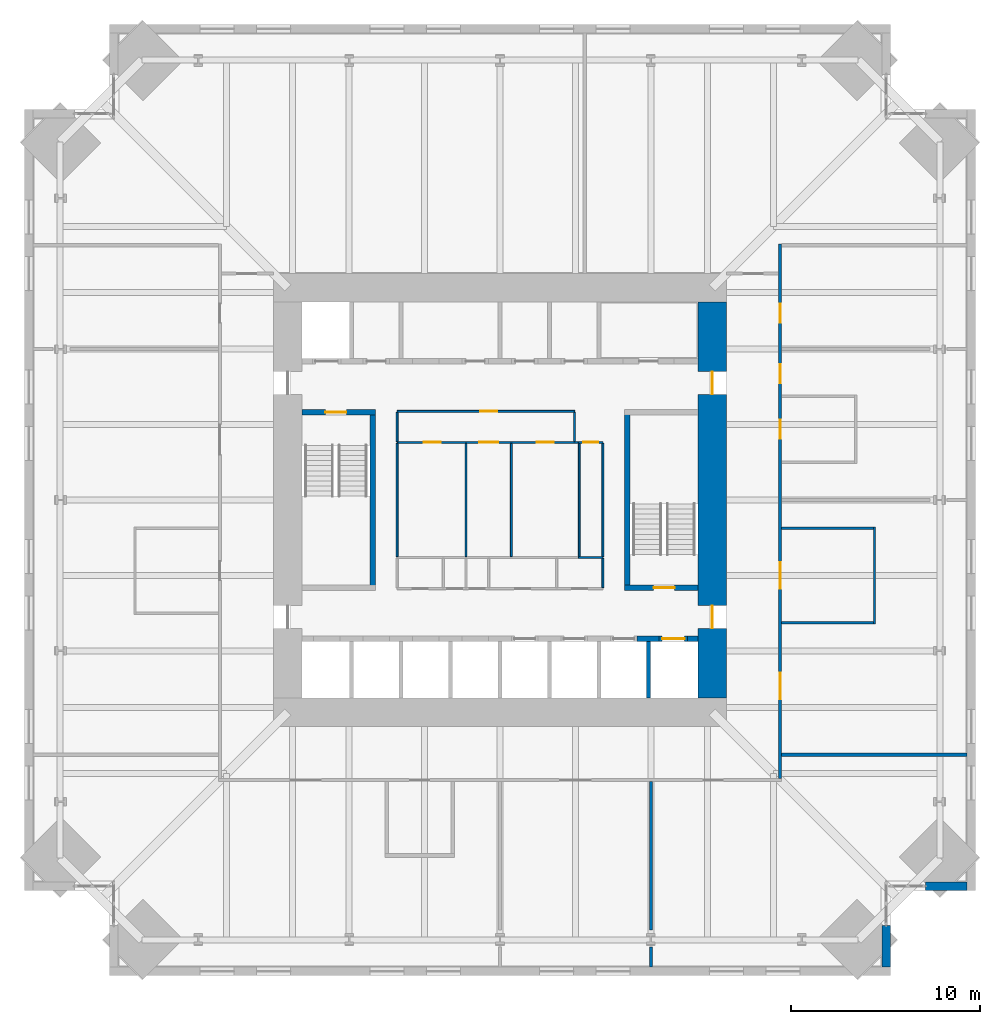
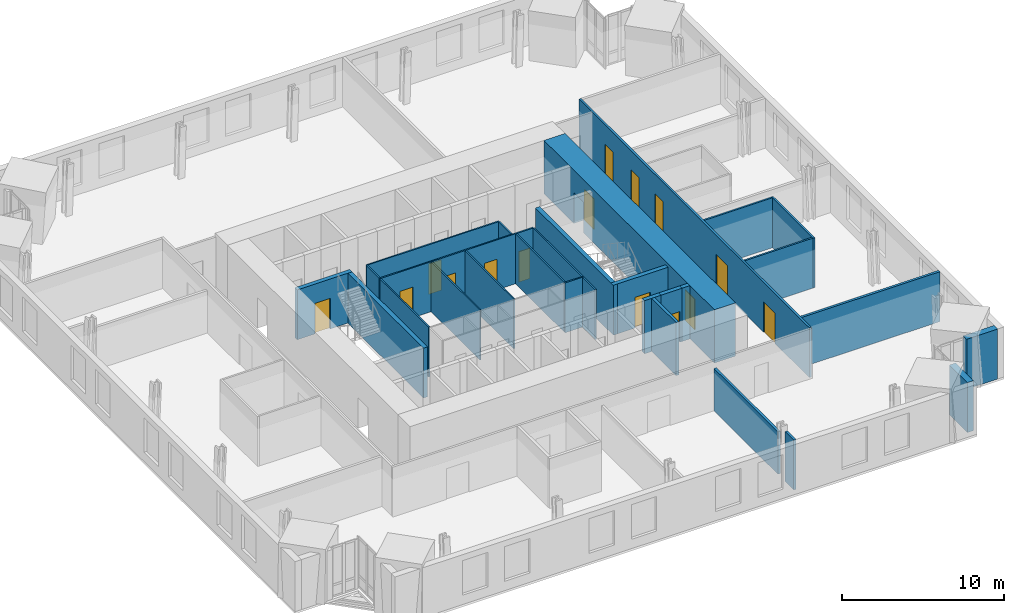
# One storey, part 12 of 15: 30 walls, 15 doors, 15 openings.
"""IFC4 building model written with IfcOpenShell, lengths in metres."""

from ifc_helpers import new_model, si_unit, direction, frame, frame_2d, origin, place, context, subcontext, project, spatial, rectangle, extrude, material, layer, layer_set, type_object, element, fill, save


model = new_model("IFC4")

# Units and contexts
model_context = context("Model", 3, precision=1e-05, world=origin(), true_north=direction((0.0, 1.0)))
body_context = subcontext(model_context, "Body", "Model", "MODEL_VIEW")
ifc_project = project(units=[si_unit("LENGTHUNIT", "METRE"), si_unit("AREAUNIT", "SQUARE_METRE"), si_unit("VOLUMEUNIT", "CUBIC_METRE"), si_unit("PLANEANGLEUNIT", "RADIAN"), si_unit("MASSUNIT", "GRAM", prefix="KILO")], contexts=[model_context])

# Site, building, storey
site_placement = place(None, origin())
site = spatial("IfcSite", under=ifc_project, at=site_placement, CompositionType="ELEMENT")
building_placement = place(site_placement, origin())
building = spatial("IfcBuilding", under=site, at=building_placement, Name="Peilmerk Tower", CompositionType="ELEMENT")
storey_placement = place(building_placement, frame((0.0, 0.0, 187.800048828125)))
storey = spatial("IfcBuildingStorey", under=building, at=storey_placement, Name="L40", CompositionType="ELEMENT", Elevation=187.800048828125)

# Walls
ifc_material_1 = material(Name="Precast concrete C45/55, board-marked finish", Category="concrete")
ifc_layer_1 = layer(ifc_material_1, 0.449951171875)
ifc_layer_set_1 = layer_set([ifc_layer_1], Name="Precast concrete C45/55, board-marked finish")
wall_type_1 = type_object("IfcWallType", Name="EW1 450 precast concrete facade wall, board-marked", PredefinedType="SOLIDWALL", material=ifc_layer_set_1)
for number, where, z_axis, x_axis, name in (
    (1, (20.47509765625, -22.5537109375, 0.0), (0.0, 0.0, 1.0), (0.0, -1.0, 0.0), "Facade wall SEA L40"),
    (2, (22.5537109375, -20.47509765625, 0.0), (0.0, 0.0, 1.0), (1.0, 0.0, 0.0), "Facade wall SEB L40"),
):
    element("IfcWall", number, at=place(storey_placement, frame(where, z_axis=z_axis, x_axis=x_axis)), inside=storey, type_object=wall_type_1, Name=name, PredefinedType="SOLIDWALL", context=body_context, shape_type="SweptSolid", body=[
        extrude(rectangle(XDim=2.1962890625, YDim=0.449951171875, at=frame_2d((1.09814453125, 0.0))), origin(), (0.0, 0.0, 1.0), 3.75),
    ])

# Wall, openings, doors
ifc_material_2 = material(Name="Calcium silicate block", Category="masonry")
ifc_layer_2 = layer(ifc_material_2, 0.14990234375)
ifc_layer_set_2 = layer_set([ifc_layer_2], Name="Calcium silicate block")
wall_type_2 = type_object("IfcWallType", Name="IW1 150 corridor partition, EI 60", PredefinedType="PARTITIONING", material=ifc_layer_set_2)
wall_1_placement = place(storey_placement, frame((14.85009765625, -14.77490234375, 0.0), z_axis=(0.0, 0.0, 1.0), x_axis=(0.0, 1.0, 0.0)))
wall_1 = element("IfcWall", 3, at=wall_1_placement, inside=storey, type_object=wall_type_2, Name="Corridor wall E L40", PredefinedType="PARTITIONING", context=body_context, shape_type="SweptSolid", body=[
    extrude(rectangle(XDim=28.349853515625, YDim=0.14990234375, at=frame_2d((14.1748046875, 0.0))), origin(), (0.0, 0.0, 1.0), 3.75),
])
opening_1_placement = place(wall_1_placement, frame((4.22509765625, 0.0, 0.0)))
opening_1 = element("IfcOpeningElement", 4, at=opening_1_placement, cuts=wall_1, Name="Opening D8", PredefinedType="OPENING", context=body_context, shape_type="SweptSolid", body=[
    extrude(rectangle(XDim=1.39990234375, YDim=2.300048828125, at=frame_2d((0.699951171875, 1.14990234375))), frame((0.0, 0.0849609375, 0.0), z_axis=(0.0, -1.0, 0.0), x_axis=(1.0, 0.0, 0.0)), (0.0, 0.0, 1.0), 0.169921875),
])
opening_2_placement = place(wall_1_placement, frame((20.97509765625, 0.0, 0.0)))
opening_2 = element("IfcOpeningElement", 5, at=opening_2_placement, cuts=wall_1, Name="Opening D1", PredefinedType="OPENING", context=body_context, shape_type="SweptSolid", body=[
    extrude(rectangle(XDim=1.0, YDim=2.300048828125, at=frame_2d((0.5, 1.14990234375))), frame((0.0, 0.0849609375, 0.0), z_axis=(0.0, -1.0, 0.0), x_axis=(1.0, 0.0, 0.0)), (0.0, 0.0, 1.0), 0.169921875),
])
opening_3_placement = place(wall_1_placement, frame((24.175048828125, 0.0, 0.0)))
opening_3 = element("IfcOpeningElement", 6, at=opening_3_placement, cuts=wall_1, Name="Opening D1", PredefinedType="OPENING", context=body_context, shape_type="SweptSolid", body=[
    extrude(rectangle(XDim=1.0, YDim=2.300048828125, at=frame_2d((0.5, 1.14990234375))), frame((0.0, 0.0849609375, 0.0), z_axis=(0.0, -1.0, 0.0), x_axis=(1.0, 0.0, 0.0)), (0.0, 0.0, 1.0), 0.169921875),
])
opening_4_placement = place(wall_1_placement, frame((10.074951171875, 0.0, 0.0)))
opening_4 = element("IfcOpeningElement", 7, at=opening_4_placement, cuts=wall_1, Name="Opening D8", PredefinedType="OPENING", context=body_context, shape_type="SweptSolid", body=[
    extrude(rectangle(XDim=1.39990234375, YDim=2.300048828125, at=frame_2d((0.699951171875, 1.14990234375))), frame((0.0, 0.0849609375, 0.0), z_axis=(0.0, -1.0, 0.0), x_axis=(1.0, 0.0, 0.0)), (0.0, 0.0, 1.0), 0.169921875),
])
opening_5_placement = place(wall_1_placement, frame((18.02490234375, 0.0, 0.0)))
opening_5 = element("IfcOpeningElement", 8, at=opening_5_placement, cuts=wall_1, Name="Opening D1", PredefinedType="OPENING", context=body_context, shape_type="SweptSolid", body=[
    extrude(rectangle(XDim=1.0, YDim=2.300048828125, at=frame_2d((0.5, 1.14990234375))), frame((0.0, 0.0849609375, 0.0), z_axis=(0.0, -1.0, 0.0), x_axis=(1.0, 0.0, 0.0)), (0.0, 0.0, 1.0), 0.169921875),
])
ifc_material_3 = material(Name="Timber door in steel frame", Category="steel")
door_type_1 = type_object("IfcDoorType", Name="D1 1000x2300 room door, EI2 30", OperationType="SINGLE_SWING_LEFT", PredefinedType="DOOR", material=ifc_material_3)
door_1_placement = place(opening_2_placement, frame((1.0, 0.0, 0.0), z_axis=(0.0, 0.0, 1.0), x_axis=(-1.0, 0.0, 0.0)))
door_1 = element("IfcDoor", 9, at=door_1_placement, inside=storey, type_object=door_type_1, Name="Door Office L40", OperationType="SINGLE_SWING_LEFT", OverallHeight=2.300048828125, OverallWidth=1.0, PredefinedType="DOOR", context=body_context, shape_type="SweptSolid", body=[
    extrude(rectangle(XDim=1.0, YDim=2.300048828125, at=frame_2d((0.5, 1.14990234375))), frame((0.0, 0.02490234375, 0.0), z_axis=(0.0, -1.0, 0.0), x_axis=(1.0, 0.0, 0.0)), (0.0, 0.0, 1.0), 0.050048828125),
])
fill(opening_2, door_1)
door_2_placement = place(opening_3_placement, frame((1.0, 0.0, 0.0), z_axis=(0.0, 0.0, 1.0), x_axis=(-1.0, 0.0, 0.0)))
door_2 = element("IfcDoor", 10, at=door_2_placement, inside=storey, type_object=door_type_1, Name="Door Office L40", OperationType="SINGLE_SWING_LEFT", OverallHeight=2.300048828125, OverallWidth=1.0, PredefinedType="DOOR", context=body_context, shape_type="SweptSolid", body=[
    extrude(rectangle(XDim=1.0, YDim=2.300048828125, at=frame_2d((0.5, 1.14990234375))), frame((0.0, 0.02490234375, 0.0), z_axis=(0.0, -1.0, 0.0), x_axis=(1.0, 0.0, 0.0)), (0.0, 0.0, 1.0), 0.050048828125),
])
fill(opening_3, door_2)
door_3_placement = place(opening_5_placement, frame((1.0, 0.0, 0.0), z_axis=(0.0, 0.0, 1.0), x_axis=(-1.0, 0.0, 0.0)))
door_3 = element("IfcDoor", 11, at=door_3_placement, inside=storey, type_object=door_type_1, Name="Door Pantry L40", OperationType="SINGLE_SWING_LEFT", OverallHeight=2.300048828125, OverallWidth=1.0, PredefinedType="DOOR", context=body_context, shape_type="SweptSolid", body=[
    extrude(rectangle(XDim=1.0, YDim=2.300048828125, at=frame_2d((0.5, 1.14990234375))), frame((0.0, 0.02490234375, 0.0), z_axis=(0.0, -1.0, 0.0), x_axis=(1.0, 0.0, 0.0)), (0.0, 0.0, 1.0), 0.050048828125),
])
fill(opening_5, door_3)
door_type_2 = type_object("IfcDoorType", Name="D8 1400x2300 leaf-and-a-half door, EI2 30", OperationType="DOUBLE_DOOR_SINGLE_SWING", PredefinedType="DOOR", material=ifc_material_3)
door_4_placement = place(opening_1_placement, frame((1.39990234375, 0.0, 0.0), z_axis=(0.0, 0.0, 1.0), x_axis=(-1.0, 0.0, 0.0)))
door_4 = element("IfcDoor", 12, at=door_4_placement, inside=storey, type_object=door_type_2, Name="Door Library L40", OperationType="DOUBLE_DOOR_SINGLE_SWING", OverallHeight=2.300048828125, OverallWidth=1.39990234375, PredefinedType="DOOR", context=body_context, shape_type="SweptSolid", body=[
    extrude(rectangle(XDim=1.39990234375, YDim=2.300048828125, at=frame_2d((0.699951171875, 1.14990234375))), frame((0.0, 0.02490234375, 0.0), z_axis=(0.0, -1.0, 0.0), x_axis=(1.0, 0.0, 0.0)), (0.0, 0.0, 1.0), 0.050048828125),
])
fill(opening_1, door_4)
door_5_placement = place(opening_4_placement, frame((1.39990234375, 0.0, 0.0), z_axis=(0.0, 0.0, 1.0), x_axis=(-1.0, 0.0, 0.0)))
door_5 = element("IfcDoor", 13, at=door_5_placement, inside=storey, type_object=door_type_2, Name="Door Board room L40", OperationType="DOUBLE_DOOR_SINGLE_SWING", OverallHeight=2.300048828125, OverallWidth=1.39990234375, PredefinedType="DOOR", context=body_context, shape_type="SweptSolid", body=[
    extrude(rectangle(XDim=1.39990234375, YDim=2.300048828125, at=frame_2d((0.699951171875, 1.14990234375))), frame((0.0, 0.02490234375, 0.0), z_axis=(0.0, -1.0, 0.0), x_axis=(1.0, 0.0, 0.0)), (0.0, 0.0, 1.0), 0.050048828125),
])
fill(opening_4, door_5)

# Wall
ifc_material_4 = material(Name="Concrete C35/45", Category="concrete")
ifc_layer_3 = layer(ifc_material_4, 0.300048828125)
ifc_layer_set_3 = layer_set([ifc_layer_3], Name="Concrete C35/45")
wall_type_3 = type_object("IfcWallType", Name="IW3 300 concrete stair enclosure wall, EI 120", PredefinedType="SOLIDWALL", material=ifc_layer_set_3)
wall_2_placement = place(storey_placement, frame((-6.75, -4.800048828125, 0.0), z_axis=(0.0, 0.0, 1.0), x_axis=(0.0, 1.0, 0.0)))
element("IfcWall", 14, at=wall_2_placement, inside=storey, type_object=wall_type_3, Name="Stair 1 enclosure L40", PredefinedType="SOLIDWALL", context=body_context, shape_type="SweptSolid", body=[
    extrude(rectangle(XDim=9.60009765625, YDim=0.300048828125, at=frame_2d((4.800048828125, 0.0))), origin(), (0.0, 0.0, 1.0), 3.75),
])

# Wall, opening, door
wall_3_placement = place(storey_placement, frame((-10.5, 4.64990234375, 0.0), z_axis=(0.0, 0.0, 1.0), x_axis=(1.0, 0.0, 0.0)))
wall_3 = element("IfcWall", 15, at=wall_3_placement, inside=storey, type_object=wall_type_3, Name="Stair 1 enclosure L40", PredefinedType="SOLIDWALL", context=body_context, shape_type="SweptSolid", body=[
    extrude(rectangle(XDim=3.89990234375, YDim=0.300048828125, at=frame_2d((1.949951171875, 0.0))), origin(), (0.0, 0.0, 1.0), 3.75),
])
opening_6_placement = place(wall_3_placement, frame((1.25, 0.0, 0.0)))
opening_6 = element("IfcOpeningElement", 16, at=opening_6_placement, cuts=wall_3, Name="Opening D4", PredefinedType="OPENING", context=body_context, shape_type="SweptSolid", body=[
    extrude(rectangle(XDim=1.10009765625, YDim=2.300048828125, at=frame_2d((0.550048828125, 1.14990234375))), frame((0.0, 0.159912109375, 0.0), z_axis=(0.0, -1.0, 0.0), x_axis=(1.0, 0.0, 0.0)), (0.0, 0.0, 1.0), 0.320068359375),
])
ifc_material_5 = material(Name="Steel door in steel frame", Category="steel")
door_type_3 = type_object("IfcDoorType", Name="D4 1100x2300 stair door, EI2 60", OperationType="SINGLE_SWING_RIGHT", PredefinedType="DOOR", material=ifc_material_5)
door_6_placement = place(opening_6_placement, frame((1.10009765625, 0.0, 0.0), z_axis=(0.0, 0.0, 1.0), x_axis=(-1.0, 0.0, 0.0)))
door_6 = element("IfcDoor", 17, at=door_6_placement, inside=storey, type_object=door_type_3, Name="Stair 1 door L40", OperationType="SINGLE_SWING_RIGHT", OverallHeight=2.300048828125, OverallWidth=1.10009765625, PredefinedType="DOOR", context=body_context, shape_type="SweptSolid", body=[
    extrude(rectangle(XDim=1.10009765625, YDim=2.300048828125, at=frame_2d((0.550048828125, 1.14990234375))), frame((0.0, 0.02490234375, 0.0), z_axis=(0.0, -1.0, 0.0), x_axis=(1.0, 0.0, 0.0)), (0.0, 0.0, 1.0), 0.050048828125),
])
fill(opening_6, door_6)

# Wall
wall_4_placement = place(storey_placement, frame((6.75, -4.800048828125, 0.0), z_axis=(0.0, 0.0, 1.0), x_axis=(0.0, 1.0, 0.0)))
element("IfcWall", 18, at=wall_4_placement, inside=storey, type_object=wall_type_3, Name="Stair 2 enclosure L40", PredefinedType="SOLIDWALL", context=body_context, shape_type="SweptSolid", body=[
    extrude(rectangle(XDim=9.60009765625, YDim=0.300048828125, at=frame_2d((4.800048828125, 0.0))), origin(), (0.0, 0.0, 1.0), 3.75),
])

# Wall, opening, door
wall_5_placement = place(storey_placement, frame((10.5, -4.64990234375, 0.0), z_axis=(0.0, 0.0, 1.0), x_axis=(-1.0, 0.0, 0.0)))
wall_5 = element("IfcWall", 19, at=wall_5_placement, inside=storey, type_object=wall_type_3, Name="Stair 2 enclosure L40", PredefinedType="SOLIDWALL", context=body_context, shape_type="SweptSolid", body=[
    extrude(rectangle(XDim=3.89990234375, YDim=0.300048828125, at=frame_2d((1.949951171875, 0.0))), origin(), (0.0, 0.0, 1.0), 3.75),
])
opening_7_placement = place(wall_5_placement, frame((1.25, 0.0, 0.0)))
opening_7 = element("IfcOpeningElement", 20, at=opening_7_placement, cuts=wall_5, Name="Opening D4", PredefinedType="OPENING", context=body_context, shape_type="SweptSolid", body=[
    extrude(rectangle(XDim=1.10009765625, YDim=2.300048828125, at=frame_2d((0.550048828125, 1.14990234375))), frame((0.0, 0.159912109375, 0.0), z_axis=(0.0, -1.0, 0.0), x_axis=(1.0, 0.0, 0.0)), (0.0, 0.0, 1.0), 0.320068359375),
])
door_7_placement = place(opening_7_placement, frame((1.10009765625, 0.0, 0.0), z_axis=(0.0, 0.0, 1.0), x_axis=(-1.0, 0.0, 0.0)))
door_7 = element("IfcDoor", 21, at=door_7_placement, inside=storey, type_object=door_type_3, Name="Stair 2 door L40", OperationType="SINGLE_SWING_RIGHT", OverallHeight=2.300048828125, OverallWidth=1.10009765625, PredefinedType="DOOR", context=body_context, shape_type="SweptSolid", body=[
    extrude(rectangle(XDim=1.10009765625, YDim=2.300048828125, at=frame_2d((0.550048828125, 1.14990234375))), frame((0.0, 0.02490234375, 0.0), z_axis=(0.0, -1.0, 0.0), x_axis=(1.0, 0.0, 0.0)), (0.0, 0.0, 1.0), 0.050048828125),
])
fill(opening_7, door_7)

# Wall, openings, doors
ifc_material_6 = material(Name="Plasterboard on steel studs", Category="steel")
ifc_layer_4 = layer(ifc_material_6, 0.10009765625)
ifc_layer_set_4 = layer_set([ifc_layer_4], Name="Plasterboard on steel studs")
wall_type_4 = type_object("IfcWallType", Name="IW4 100 WC partition", PredefinedType="PARTITIONING", material=ifc_layer_set_4)
wall_6_placement = place(storey_placement, frame((-5.449951171875, 3.050048828125, 0.0), z_axis=(0.0, 0.0, 1.0), x_axis=(1.0, 0.0, 0.0)))
wall_6 = element("IfcWall", 22, at=wall_6_placement, inside=storey, type_object=wall_type_4, Name="WC wall L40", PredefinedType="PARTITIONING", context=body_context, shape_type="SweptSolid", body=[
    extrude(rectangle(XDim=9.599853515625, YDim=0.10009765625, at=frame_2d((4.7998046875, 0.0))), origin(), (0.0, 0.0, 1.0), 3.75),
])
opening_8_placement = place(wall_6_placement, frame((1.39990234375, 0.0, 0.0)))
opening_8 = element("IfcOpeningElement", 23, at=opening_8_placement, cuts=wall_6, Name="Opening D5", PredefinedType="OPENING", context=body_context, shape_type="SweptSolid", body=[
    extrude(rectangle(XDim=0.89990234375, YDim=2.300048828125, at=frame_2d((0.449951171875, 1.14990234375))), frame((0.0, 0.06005859375, 0.0), z_axis=(0.0, -1.0, 0.0), x_axis=(1.0, 0.0, 0.0)), (0.0, 0.0, 1.0), 0.1201171875),
])
opening_9_placement = place(wall_6_placement, frame((4.35009765625, 0.0, 0.0)))
opening_9 = element("IfcOpeningElement", 24, at=opening_9_placement, cuts=wall_6, Name="Opening D6", PredefinedType="OPENING", context=body_context, shape_type="SweptSolid", body=[
    extrude(rectangle(XDim=1.0, YDim=2.300048828125, at=frame_2d((0.5, 1.14990234375))), frame((0.0, 0.06005859375, 0.0), z_axis=(0.0, -1.0, 0.0), x_axis=(1.0, 0.0, 0.0)), (0.0, 0.0, 1.0), 0.1201171875),
])
opening_10_placement = place(wall_6_placement, frame((7.39990234375, 0.0, 0.0)))
opening_10 = element("IfcOpeningElement", 25, at=opening_10_placement, cuts=wall_6, Name="Opening D5", PredefinedType="OPENING", context=body_context, shape_type="SweptSolid", body=[
    extrude(rectangle(XDim=0.89990234375, YDim=2.300048828125, at=frame_2d((0.449951171875, 1.14990234375))), frame((0.0, 0.06005859375, 0.0), z_axis=(0.0, -1.0, 0.0), x_axis=(1.0, 0.0, 0.0)), (0.0, 0.0, 1.0), 0.1201171875),
])
door_type_4 = type_object("IfcDoorType", Name="D5 900x2300 WC door", OperationType="SINGLE_SWING_LEFT", PredefinedType="DOOR", material=ifc_material_3)
door_8_placement = place(opening_8_placement, frame((0.89990234375, 0.0, 0.0), z_axis=(0.0, 0.0, 1.0), x_axis=(-1.0, 0.0, 0.0)))
door_8 = element("IfcDoor", 26, at=door_8_placement, inside=storey, type_object=door_type_4, Name="Female toilets door L40", OperationType="SINGLE_SWING_LEFT", OverallHeight=2.300048828125, OverallWidth=0.89990234375, PredefinedType="DOOR", context=body_context, shape_type="SweptSolid", body=[
    extrude(rectangle(XDim=0.89990234375, YDim=2.300048828125, at=frame_2d((0.449951171875, 1.14990234375))), frame((0.0, 0.02490234375, 0.0), z_axis=(0.0, -1.0, 0.0), x_axis=(1.0, 0.0, 0.0)), (0.0, 0.0, 1.0), 0.050048828125),
])
fill(opening_8, door_8)
door_9_placement = place(opening_10_placement, frame((0.89990234375, 0.0, 0.0), z_axis=(0.0, 0.0, 1.0), x_axis=(-1.0, 0.0, 0.0)))
door_9 = element("IfcDoor", 27, at=door_9_placement, inside=storey, type_object=door_type_4, Name="Male toilets door L40", OperationType="SINGLE_SWING_LEFT", OverallHeight=2.300048828125, OverallWidth=0.89990234375, PredefinedType="DOOR", context=body_context, shape_type="SweptSolid", body=[
    extrude(rectangle(XDim=0.89990234375, YDim=2.300048828125, at=frame_2d((0.449951171875, 1.14990234375))), frame((0.0, 0.02490234375, 0.0), z_axis=(0.0, -1.0, 0.0), x_axis=(1.0, 0.0, 0.0)), (0.0, 0.0, 1.0), 0.050048828125),
])
fill(opening_10, door_9)
door_type_5 = type_object("IfcDoorType", Name="D6 1000x2300 accessible WC door", OperationType="SLIDING_TO_LEFT", PredefinedType="DOOR", material=ifc_material_3)
door_10_placement = place(opening_9_placement, frame((1.0, 0.0, 0.0), z_axis=(0.0, 0.0, 1.0), x_axis=(-1.0, 0.0, 0.0)))
door_10 = element("IfcDoor", 28, at=door_10_placement, inside=storey, type_object=door_type_5, Name="Accessible WC door L40", OperationType="SLIDING_TO_LEFT", OverallHeight=2.300048828125, OverallWidth=1.0, PredefinedType="DOOR", context=body_context, shape_type="SweptSolid", body=[
    extrude(rectangle(XDim=1.0, YDim=2.300048828125, at=frame_2d((0.5, 1.14990234375))), frame((0.0, 0.02490234375, 0.0), z_axis=(0.0, -1.0, 0.0), x_axis=(1.0, 0.0, 0.0)), (0.0, 0.0, 1.0), 0.050048828125),
])
fill(opening_9, door_10)

# Walls
for number, where, z_axis, x_axis, name in (
    (29, (-5.449951171875, -3.0, 0.0), (0.0, 0.0, 1.0), (0.0, 1.0, 0.0), "WC wall L40"),
    (30, (-1.800048828125, -3.0, 0.0), (0.0, 0.0, 1.0), (0.0, 1.0, 0.0), "WC wall L40"),
    (31, (0.60009765625, -3.0, 0.0), (0.0, 0.0, 1.0), (0.0, 1.0, 0.0), "WC wall L40"),
):
    element("IfcWall", number, at=place(storey_placement, frame(where, z_axis=z_axis, x_axis=x_axis)), inside=storey, type_object=wall_type_4, Name=name, PredefinedType="PARTITIONING", context=body_context, shape_type="SweptSolid", body=[
        extrude(rectangle(XDim=6.0, YDim=0.10009765625, at=frame_2d((3.0, 0.0))), origin(), (0.0, 0.0, 1.0), 3.75),
    ])

# Wall, opening, door
ifc_material_7 = material(Name="Calcium silicate board on steel studs", Category="steel")
ifc_layer_5 = layer(ifc_material_7, 0.10009765625)
ifc_layer_set_5 = layer_set([ifc_layer_5], Name="Calcium silicate board on steel studs")
wall_type_5 = type_object("IfcWallType", Name="IW5 100 riser enclosure wall, EI 60", PredefinedType="PARTITIONING", material=ifc_layer_set_5)
wall_7_placement = place(storey_placement, frame((4.14990234375, 3.050048828125, 0.0), z_axis=(0.0, 0.0, 1.0), x_axis=(1.0, 0.0, 0.0)))
wall_7 = element("IfcWall", 32, at=wall_7_placement, inside=storey, type_object=wall_type_5, Name="Riser wall L40", PredefinedType="PARTITIONING", context=body_context, shape_type="SweptSolid", body=[
    extrude(rectangle(XDim=1.300048828125, YDim=0.10009765625, at=frame_2d((0.64990234375, 0.0))), origin(), (0.0, 0.0, 1.0), 3.75),
])
opening_11_placement = place(wall_7_placement, frame((0.25, 0.0, 0.0)))
opening_11 = element("IfcOpeningElement", 33, at=opening_11_placement, cuts=wall_7, Name="Opening D7", PredefinedType="OPENING", context=body_context, shape_type="SweptSolid", body=[
    extrude(rectangle(XDim=0.800048828125, YDim=2.300048828125, at=frame_2d((0.39990234375, 1.14990234375))), frame((0.0, 0.06005859375, 0.0), z_axis=(0.0, -1.0, 0.0), x_axis=(1.0, 0.0, 0.0)), (0.0, 0.0, 1.0), 0.1201171875),
])
door_type_6 = type_object("IfcDoorType", Name="D7 800x2300 riser access door, EI2 60", OperationType="SINGLE_SWING_RIGHT", PredefinedType="DOOR", material=ifc_material_5)
door_11_placement = place(opening_11_placement, frame((0.800048828125, 0.0, 0.0), z_axis=(0.0, 0.0, 1.0), x_axis=(-1.0, 0.0, 0.0)))
door_11 = element("IfcDoor", 34, at=door_11_placement, inside=storey, type_object=door_type_6, Name="Plumbing riser door L40", OperationType="SINGLE_SWING_RIGHT", OverallHeight=2.300048828125, OverallWidth=0.800048828125, PredefinedType="DOOR", context=body_context, shape_type="SweptSolid", body=[
    extrude(rectangle(XDim=0.800048828125, YDim=2.300048828125, at=frame_2d((0.39990234375, 1.14990234375))), frame((0.0, 0.02490234375, 0.0), z_axis=(0.0, -1.0, 0.0), x_axis=(1.0, 0.0, 0.0)), (0.0, 0.0, 1.0), 0.050048828125),
])
fill(opening_11, door_11)

# Walls
wall_8_placement = place(storey_placement, frame((5.449951171875, -3.050048828125, 0.0), z_axis=(0.0, 0.0, 1.0), x_axis=(-1.0, 0.0, 0.0)))
element("IfcWall", 35, at=wall_8_placement, inside=storey, type_object=wall_type_5, Name="Riser wall L40", PredefinedType="PARTITIONING", context=body_context, shape_type="SweptSolid", body=[
    extrude(rectangle(XDim=1.300048828125, YDim=0.10009765625, at=frame_2d((0.64990234375, 0.0))), origin(), (0.0, 0.0, 1.0), 3.75),
])
for number, where, z_axis, x_axis, name in (
    (36, (5.449951171875, 3.0, 0.0), (0.0, 0.0, 1.0), (0.0, -1.0, 0.0), "Riser wall L40"),
    (37, (4.199951171875, -3.0, 0.0), (0.0, 0.0, 1.0), (0.0, 1.0, 0.0), "Riser wall L40"),
):
    element("IfcWall", number, at=place(storey_placement, frame(where, z_axis=z_axis, x_axis=x_axis)), inside=storey, type_object=wall_type_5, Name=name, PredefinedType="PARTITIONING", context=body_context, shape_type="SweptSolid", body=[
        extrude(rectangle(XDim=6.0, YDim=0.10009765625, at=frame_2d((3.0, 0.0))), origin(), (0.0, 0.0, 1.0), 3.75),
    ])
wall_9_placement = place(storey_placement, frame((5.449951171875, -3.10009765625, 0.0), z_axis=(0.0, 0.0, 1.0), x_axis=(0.0, -1.0, 0.0)))
element("IfcWall", 38, at=wall_9_placement, inside=storey, type_object=wall_type_5, Name="Riser wall L40", PredefinedType="PARTITIONING", context=body_context, shape_type="SweptSolid", body=[
    extrude(rectangle(XDim=1.5498046875, YDim=0.10009765625, at=frame_2d((0.77490234375, 0.0))), origin(), (0.0, 0.0, 1.0), 3.75),
])
ifc_material_8 = material(Name="Plasterboard on steel studs, double boarded with mineral wool", Category="steel")
ifc_layer_6 = layer(ifc_material_8, 0.125)
ifc_layer_set_6 = layer_set([ifc_layer_6], Name="Plasterboard on steel studs, double boarded with mineral wool")
wall_type_6 = type_object("IfcWallType", Name="IW7 125 acoustic partition, EI 30", PredefinedType="PARTITIONING", material=ifc_layer_set_6)
wall_10_placement = place(storey_placement, frame((19.85009765625, -6.5625, 0.0), z_axis=(0.0, 0.0, 1.0), x_axis=(0.0, 1.0, 0.0)))
element("IfcWall", 39, at=wall_10_placement, inside=storey, type_object=wall_type_6, Name="Acoustic partition Board room L40", PredefinedType="PARTITIONING", context=body_context, shape_type="SweptSolid", body=[
    extrude(rectangle(XDim=5.125, YDim=0.125, at=frame_2d((2.5625, 0.0))), origin(), (0.0, 0.0, 1.0), 3.75),
])
for number, where, z_axis, x_axis, name in (
    (40, (14.925048828125, -6.5, 0.0), (0.0, 0.0, 1.0), (1.0, 0.0, 0.0), "Acoustic partition Board room L40"),
    (41, (14.925048828125, -1.5, 0.0), (0.0, 0.0, 1.0), (1.0, 0.0, 0.0), "Acoustic partition Board room L40"),
):
    element("IfcWall", number, at=place(storey_placement, frame(where, z_axis=z_axis, x_axis=x_axis)), inside=storey, type_object=wall_type_6, Name=name, PredefinedType="PARTITIONING", context=body_context, shape_type="SweptSolid", body=[
        extrude(rectangle(XDim=4.862548828125, YDim=0.125, at=frame_2d((2.43115234375, 0.0))), origin(), (0.0, 0.0, 1.0), 3.75),
    ])
ifc_layer_7 = layer(ifc_material_2, 0.175048828125)
ifc_layer_set_7 = layer_set([ifc_layer_7], Name="Calcium silicate block")
wall_type_7 = type_object("IfcWallType", Name="IW8 175 tenant separating wall, EI 60", PredefinedType="PARTITIONING", material=ifc_layer_set_7)
wall_11_placement = place(storey_placement, frame((24.75, -13.5, 0.0), z_axis=(0.0, 0.0, 1.0), x_axis=(-1.0, 0.0, 0.0)))
element("IfcWall", 42, at=wall_11_placement, inside=storey, type_object=wall_type_7, Name="Tenant separating wall SE L40", PredefinedType="PARTITIONING", context=body_context, shape_type="SweptSolid", body=[
    extrude(rectangle(XDim=9.824951171875, YDim=0.175048828125, at=frame_2d((4.91259765625, 0.0))), origin(), (0.0, 0.0, 1.0), 3.75),
])
wall_12_placement = place(storey_placement, frame((8.0, -14.925048828125, 0.0), z_axis=(0.0, 0.0, 1.0), x_axis=(0.0, -1.0, 0.0)))
element("IfcWall", 43, at=wall_12_placement, inside=storey, type_object=wall_type_7, Name="Tenant separating wall S2 L40", PredefinedType="PARTITIONING", context=body_context, shape_type="SweptSolid", body=[
    extrude(rectangle(XDim=7.873779296875, YDim=0.175048828125, at=frame_2d((3.93701171875, 0.0))), origin(), (0.0, 0.0, 1.0), 3.180908203125),
])
wall_13_placement = place(storey_placement, frame((8.0, -23.688232421875, 0.0), z_axis=(0.0, 0.0, 1.0), x_axis=(0.0, -1.0, 0.0)))
element("IfcWall", 44, at=wall_13_placement, inside=storey, type_object=wall_type_7, Name="Tenant separating wall S2b L40", PredefinedType="PARTITIONING", context=body_context, shape_type="SweptSolid", body=[
    extrude(rectangle(XDim=1.061767578125, YDim=0.175048828125, at=frame_2d((0.53076171875, 0.0))), origin(), (0.0, 0.0, 1.0), 3.75),
])

# Wall, opening, door
ifc_material_9 = material(Name="Fire-resisting plasterboard on steel studs", Category="steel")
ifc_layer_8 = layer(ifc_material_9, 0.10009765625)
ifc_layer_set_8 = layer_set([ifc_layer_8], Name="Fire-resisting plasterboard on steel studs")
wall_type_8 = type_object("IfcWallType", Name="IW9 100 WC lobby wall, EI 30", PredefinedType="PARTITIONING", material=ifc_layer_set_8)
wall_14_placement = place(storey_placement, frame((-5.449951171875, 4.699951171875, 0.0), z_axis=(0.0, 0.0, 1.0), x_axis=(1.0, 0.0, 0.0)))
wall_14 = element("IfcWall", 45, at=wall_14_placement, inside=storey, type_object=wall_type_8, Name="WC lobby wall L40", PredefinedType="PARTITIONING", context=body_context, shape_type="SweptSolid", body=[
    extrude(rectangle(XDim=9.39990234375, YDim=0.10009765625, at=frame_2d((4.699951171875, 0.0))), origin(), (0.0, 0.0, 1.0), 3.75),
])
opening_12_placement = place(wall_14_placement, frame((4.39990234375, 0.0, 0.0)))
opening_12 = element("IfcOpeningElement", 46, at=opening_12_placement, cuts=wall_14, Name="Opening D11", PredefinedType="OPENING", context=body_context, shape_type="SweptSolid", body=[
    extrude(rectangle(XDim=0.89990234375, YDim=2.300048828125, at=frame_2d((0.449951171875, 1.14990234375))), frame((0.0, 0.06005859375, 0.0), z_axis=(0.0, -1.0, 0.0), x_axis=(1.0, 0.0, 0.0)), (0.0, 0.0, 1.0), 0.1201171875),
])
door_type_7 = type_object("IfcDoorType", Name="D11 900x2300 WC lobby door, EI2 30", OperationType="SINGLE_SWING_LEFT", PredefinedType="DOOR", material=ifc_material_3)
door_12_placement = place(opening_12_placement, frame((0.89990234375, 0.0, 0.0), z_axis=(0.0, 0.0, 1.0), x_axis=(-1.0, 0.0, 0.0)))
door_12 = element("IfcDoor", 47, at=door_12_placement, inside=storey, type_object=door_type_7, Name="WC lobby door L40", OperationType="SINGLE_SWING_LEFT", OverallHeight=2.300048828125, OverallWidth=0.89990234375, PredefinedType="DOOR", context=body_context, shape_type="SweptSolid", body=[
    extrude(rectangle(XDim=0.89990234375, YDim=2.300048828125, at=frame_2d((0.449951171875, 1.14990234375))), frame((0.0, 0.02490234375, 0.0), z_axis=(0.0, -1.0, 0.0), x_axis=(1.0, 0.0, 0.0)), (0.0, 0.0, 1.0), 0.050048828125),
])
fill(opening_12, door_12)

# Walls
for number, where, z_axis, x_axis, name in (
    (48, (-5.449951171875, 3.10009765625, 0.0), (0.0, 0.0, 1.0), (0.0, 1.0, 0.0), "WC lobby wall L40"),
    (49, (3.949951171875, 3.10009765625, 0.0), (0.0, 0.0, 1.0), (0.0, 1.0, 0.0), "WC lobby wall L40"),
):
    element("IfcWall", number, at=place(storey_placement, frame(where, z_axis=z_axis, x_axis=x_axis)), inside=storey, type_object=wall_type_8, Name=name, PredefinedType="PARTITIONING", context=body_context, shape_type="SweptSolid", body=[
        extrude(rectangle(XDim=1.5498046875, YDim=0.10009765625, at=frame_2d((0.77490234375, 0.0))), origin(), (0.0, 0.0, 1.0), 3.75),
    ])
ifc_layer_9 = layer(ifc_material_2, 0.199951171875)
ifc_layer_set_9 = layer_set([ifc_layer_9], Name="Calcium silicate block")
wall_type_9 = type_object("IfcWallType", Name="SH1 200 shaft dividing wall, EI 120", PredefinedType="PARTITIONING", material=ifc_layer_set_9)
wall_15_placement = place(storey_placement, frame((7.875, -10.5, 0.0), z_axis=(0.0, 0.0, 1.0), x_axis=(0.0, 1.0, 0.0)))
element("IfcWall", 50, at=wall_15_placement, inside=storey, type_object=wall_type_9, Name="Shaft wall S B1 L40", PredefinedType="PARTITIONING", context=body_context, shape_type="SweptSolid", body=[
    extrude(rectangle(XDim=3.0, YDim=0.199951171875, at=frame_2d((1.5, 0.0))), origin(), (0.0, 0.0, 1.0), 4.0),
])

# Wall, opening, door
ifc_layer_10 = layer(ifc_material_2, 0.300048828125)
ifc_layer_set_10 = layer_set([ifc_layer_10], Name="Calcium silicate block")
wall_type_10 = type_object("IfcWallType", Name="SH2 300 lift landing door panel, EI 120", PredefinedType="PARTITIONING", material=ifc_layer_set_10)
wall_16_placement = place(storey_placement, frame((8.4375, -7.35009765625, 0.0), z_axis=(0.0, 0.0, 1.0), x_axis=(1.0, 0.0, 0.0)))
wall_16 = element("IfcWall", 51, at=wall_16_placement, inside=storey, type_object=wall_type_10, Name="Lift door panel S FL2 L40", PredefinedType="PARTITIONING", context=body_context, shape_type="SweptSolid", body=[
    extrude(rectangle(XDim=1.5, YDim=0.300048828125, at=frame_2d((0.75, 0.0))), origin(), (0.0, 0.0, 1.0), 4.0),
])
opening_13_placement = place(wall_16_placement, frame((0.14990234375, 0.0, 0.0)))
opening_13 = element("IfcOpeningElement", 52, at=opening_13_placement, cuts=wall_16, Name="Opening LD2", PredefinedType="OPENING", context=body_context, shape_type="SweptSolid", body=[
    extrude(rectangle(XDim=1.199951171875, YDim=2.300048828125, at=frame_2d((0.60009765625, 1.14990234375))), frame((0.0, 0.159912109375, 0.0), z_axis=(0.0, -1.0, 0.0), x_axis=(1.0, 0.0, 0.0)), (0.0, 0.0, 1.0), 0.320068359375),
])
ifc_material_10 = material(Name="Stainless steel landing door", Category="steel")
door_type_8 = type_object("IfcDoorType", Name="LD2 1200x2300 lift landing door, sliding, EI2 60", OperationType="SLIDING_TO_LEFT", PredefinedType="DOOR", material=ifc_material_10)
door_13_placement = place(opening_13_placement, origin())
door_13 = element("IfcDoor", 53, at=door_13_placement, inside=storey, type_object=door_type_8, Name="Lift landing door FL2 L40", OperationType="SLIDING_TO_LEFT", OverallHeight=2.300048828125, OverallWidth=1.199951171875, PredefinedType="DOOR", context=body_context, shape_type="SweptSolid", body=[
    extrude(rectangle(XDim=1.199951171875, YDim=2.300048828125, at=frame_2d((0.60009765625, 1.14990234375))), frame((0.0, 0.02490234375, 0.0), z_axis=(0.0, -1.0, 0.0), x_axis=(1.0, 0.0, 0.0)), (0.0, 0.0, 1.0), 0.050048828125),
])
fill(opening_13, door_13)

# Wall, openings, doors
ifc_material_11 = material(Name="Concrete C55/67", Category="concrete")
ifc_layer_11 = layer(ifc_material_11, 1.5)
ifc_layer_set_11 = layer_set([ifc_layer_11], Name="Concrete C55/67")
wall_type_11 = type_object("IfcWallType", Name="SW1 1500 core wall", PredefinedType="SHEAR", material=ifc_layer_set_11)
wall_17_placement = place(storey_placement, frame((11.25, 10.5, 0.0), z_axis=(0.0, 0.0, 1.0), x_axis=(0.0, -1.0, 0.0)))
wall_17 = element("IfcWall", 54, at=wall_17_placement, inside=storey, type_object=wall_type_11, Name="Core wall E L40", PredefinedType="SHEAR", context=body_context, shape_type="SweptSolid", body=[
    extrude(rectangle(XDim=21.0, YDim=1.5, at=frame_2d((10.5, 0.0))), origin(), (0.0, 0.0, 1.0), 4.0),
])
opening_14_placement = place(wall_17_placement, frame((3.699951171875, 0.0, 0.0)))
opening_14 = element("IfcOpeningElement", 55, at=opening_14_placement, cuts=wall_17, Name="Opening D3", PredefinedType="OPENING", context=body_context, shape_type="SweptSolid", body=[
    extrude(rectangle(XDim=1.199951171875, YDim=2.300048828125, at=frame_2d((0.60009765625, 1.14990234375))), frame((0.0, 0.760009765625, 0.0), z_axis=(0.0, -1.0, 0.0), x_axis=(1.0, 0.0, 0.0)), (0.0, 0.0, 1.0), 1.52001953125),
])
opening_15_placement = place(wall_17_placement, frame((16.10009765625, 0.0, 0.0)))
opening_15 = element("IfcOpeningElement", 56, at=opening_15_placement, cuts=wall_17, Name="Opening D3", PredefinedType="OPENING", context=body_context, shape_type="SweptSolid", body=[
    extrude(rectangle(XDim=1.199951171875, YDim=2.300048828125, at=frame_2d((0.60009765625, 1.14990234375))), frame((0.0, 0.760009765625, 0.0), z_axis=(0.0, -1.0, 0.0), x_axis=(1.0, 0.0, 0.0)), (0.0, 0.0, 1.0), 1.52001953125),
])
door_type_9 = type_object("IfcDoorType", Name="D3 1200x2300 core door, EI2 60", OperationType="SINGLE_SWING_LEFT", PredefinedType="DOOR", material=ifc_material_5)
door_14_placement = place(opening_14_placement, frame((1.199951171875, 0.0, 0.0), z_axis=(0.0, 0.0, 1.0), x_axis=(-1.0, 0.0, 0.0)))
door_14 = element("IfcDoor", 57, at=door_14_placement, inside=storey, type_object=door_type_9, Name="Core door L40", OperationType="SINGLE_SWING_LEFT", OverallHeight=2.300048828125, OverallWidth=1.199951171875, PredefinedType="DOOR", context=body_context, shape_type="SweptSolid", body=[
    extrude(rectangle(XDim=1.199951171875, YDim=2.300048828125, at=frame_2d((0.60009765625, 1.14990234375))), frame((0.0, 0.02490234375, 0.0), z_axis=(0.0, -1.0, 0.0), x_axis=(1.0, 0.0, 0.0)), (0.0, 0.0, 1.0), 0.050048828125),
])
fill(opening_14, door_14)
door_15_placement = place(opening_15_placement, frame((1.199951171875, 0.0, 0.0), z_axis=(0.0, 0.0, 1.0), x_axis=(-1.0, 0.0, 0.0)))
door_15 = element("IfcDoor", 58, at=door_15_placement, inside=storey, type_object=door_type_9, Name="Core door L40", OperationType="SINGLE_SWING_LEFT", OverallHeight=2.300048828125, OverallWidth=1.199951171875, PredefinedType="DOOR", context=body_context, shape_type="SweptSolid", body=[
    extrude(rectangle(XDim=1.199951171875, YDim=2.300048828125, at=frame_2d((0.60009765625, 1.14990234375))), frame((0.0, 0.02490234375, 0.0), z_axis=(0.0, -1.0, 0.0), x_axis=(1.0, 0.0, 0.0)), (0.0, 0.0, 1.0), 0.050048828125),
])
fill(opening_15, door_15)

# Walls
ifc_layer_12 = layer(ifc_material_11, 0.300048828125)
ifc_layer_set_12 = layer_set([ifc_layer_12], Name="Concrete C55/67")
wall_type_12 = type_object("IfcWallType", Name="SW2 300 lift bank pier", PredefinedType="SHEAR", material=ifc_layer_set_12)
wall_18_placement = place(storey_placement, frame((7.262451171875, -7.35009765625, 0.0), z_axis=(0.0, 0.0, 1.0), x_axis=(1.0, 0.0, 0.0)))
element("IfcWall", 59, at=wall_18_placement, inside=storey, type_object=wall_type_12, Name="Lift bank pier S L40", PredefinedType="SHEAR", context=body_context, shape_type="SweptSolid", body=[
    extrude(rectangle(XDim=1.175048828125, YDim=0.300048828125, at=frame_2d((0.58740234375, 0.0))), origin(), (0.0, 0.0, 1.0), 4.0),
])
wall_19_placement = place(storey_placement, frame((9.9375, -7.35009765625, 0.0), z_axis=(0.0, 0.0, 1.0), x_axis=(1.0, 0.0, 0.0)))
element("IfcWall", 60, at=wall_19_placement, inside=storey, type_object=wall_type_12, Name="Lift bank pier S L40", PredefinedType="SHEAR", context=body_context, shape_type="SweptSolid", body=[
    extrude(rectangle(XDim=0.5625, YDim=0.300048828125, at=frame_2d((0.28125, 0.0))), origin(), (0.0, 0.0, 1.0), 4.0),
])

save(model, "model.ifc")
